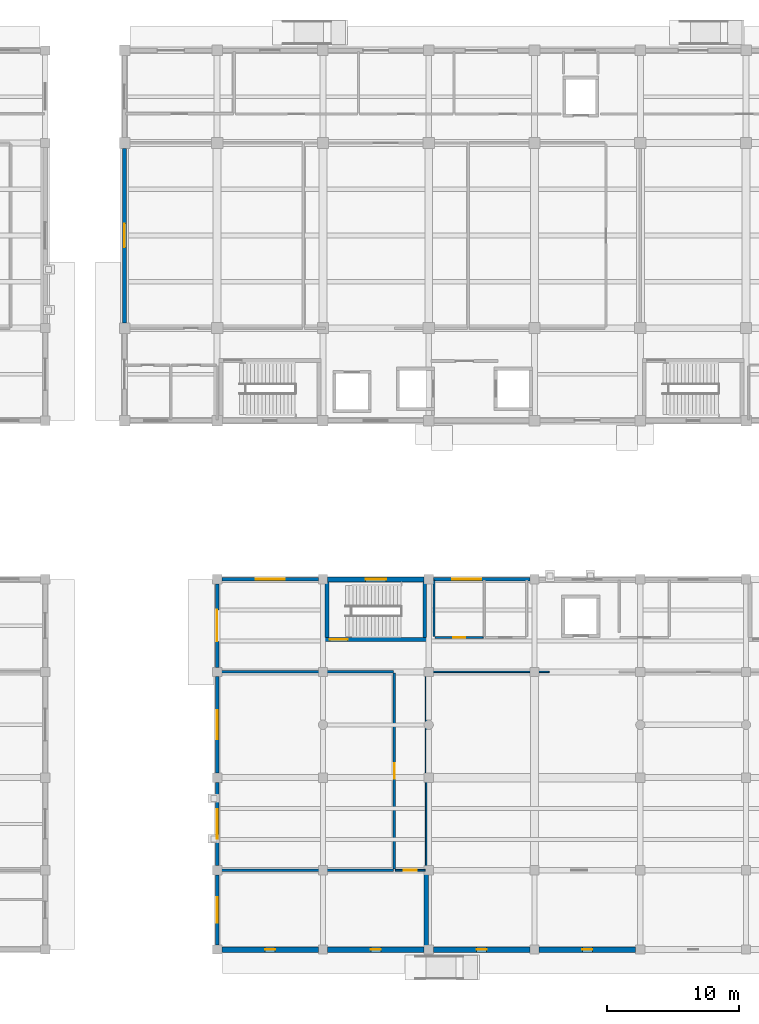
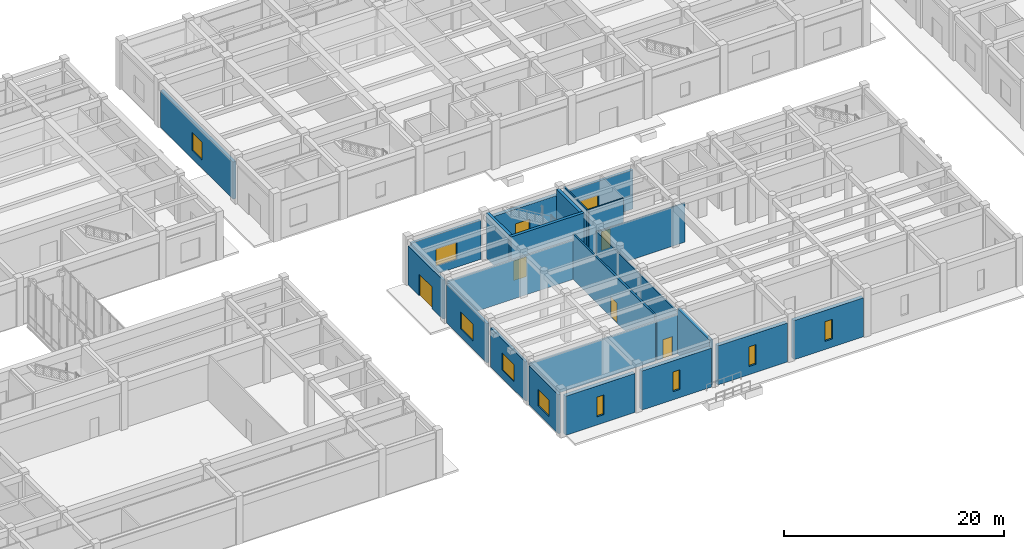
# One storey, part 21 of 40: 24 walls, 11 windows, 5 doors, 16 openings.
"""IFC4 building model written with IfcOpenShell, lengths in metres."""

import ifcopenshell
import ifcopenshell.guid

model = None  # the IFC model being written
_history = None  # IfcOwnerHistory: only IFC2X3 demands one
_inside = {}  # id of a spatial element -> (the spatial element, [elements in it])
_under = {}  # id of a project, library or spatial element -> (it, [spatial elements below it])
_declared = {}  # id of a project -> (the project, [libraries it declares])
_typed = {}  # id of a type object -> (the type object, [elements of that type])
_made_of = {}  # id of a material, layer set ... -> (it, [elements and type objects made of it])


def new_model(schema):
    """Start an empty IFC model of exactly this schema.

    Asked for "IFC4X3", IfcOpenShell would pick the latest addendum, in which some entities
    have other attributes; the version numbers below select the first issue.
    IFC2X3 requires an IfcOwnerHistory on every rooted entity: one is made here for all.
    """
    global model, _history
    if schema == "IFC4X3":
        model = ifcopenshell.file(schema_version=(4, 3, 0, 0))
    else:
        model = ifcopenshell.file(schema=schema)
    _inside.clear()
    _under.clear()
    _declared.clear()
    _typed.clear()
    _made_of.clear()
    _history = None
    if model.schema == "IFC2X3":
        org = make("IfcOrganization", Name="unknown")
        user = make(
            "IfcPersonAndOrganization",
            ThePerson=make("IfcPerson", FamilyName="unknown"),
            TheOrganization=org,
        )
        app = make(
            "IfcApplication",
            ApplicationDeveloper=org,
            Version="unknown",
            ApplicationFullName="unknown",
            ApplicationIdentifier="unknown",
        )
        _history = make(
            "IfcOwnerHistory",
            OwningUser=user,
            OwningApplication=app,
            ChangeAction="ADDED",
            CreationDate=0,
        )
    return model


def make(cls, **values):
    """One entity of the class cls with the attributes given. An attribute that is None is left unset."""
    return model.create_entity(
        cls, **{name: value for name, value in values.items() if value is not None}
    )


def rooted(cls, **values):
    """An entity with a GlobalId (a new one), such as an element, a storey or a relation."""
    return make(cls, GlobalId=ifcopenshell.guid.new(), OwnerHistory=_history, **values)


def si_unit(unit_type, name, prefix=None):
    """IfcSIUnit, for example si_unit("LENGTHUNIT", "METRE", prefix="MILLI")."""
    return make("IfcSIUnit", UnitType=unit_type, Prefix=prefix, Name=name)


def assignment(units):
    """IfcUnitAssignment: the units of a project."""
    return None if units is None else make("IfcUnitAssignment", Units=units)


def point(xyz):
    """IfcCartesianPoint."""
    return None if xyz is None else make("IfcCartesianPoint", Coordinates=xyz)


def direction(xyz):
    """IfcDirection."""
    return None if xyz is None else make("IfcDirection", DirectionRatios=xyz)


def frame(location, z_axis=None, x_axis=None):
    """IfcAxis2Placement3D, a coordinate frame: its origin and axes. An axis left out is left unset."""
    return make(
        "IfcAxis2Placement3D",
        Location=point(location),
        Axis=direction(z_axis),
        RefDirection=direction(x_axis),
    )


def frame_2d(location, x_axis=None):
    """IfcAxis2Placement2D, a coordinate frame in the plane: its origin and x axis."""
    return make(
        "IfcAxis2Placement2D", Location=point(location), RefDirection=direction(x_axis)
    )


def origin():
    """The frame at (0, 0, 0) with its axes left unset."""
    return frame((0.0, 0.0, 0.0))


def place(relative_to, where):
    """IfcLocalPlacement: puts the frame where relative to a parent placement (None: the world)."""
    return make(
        "IfcLocalPlacement", PlacementRelTo=relative_to, RelativePlacement=where
    )


def context(
    kind, dimensions, precision=None, world=None, true_north=None, identifier=None
):
    """IfcGeometricRepresentationContext, for example the 3D "Model" context."""
    return make(
        "IfcGeometricRepresentationContext",
        ContextIdentifier=identifier,
        ContextType=kind,
        CoordinateSpaceDimension=dimensions,
        Precision=precision,
        WorldCoordinateSystem=world,
        TrueNorth=true_north,
    )


def subcontext(parent, identifier, kind, view, scale=None):
    """IfcGeometricRepresentationSubContext, for example "Body" below "Model"."""
    return make(
        "IfcGeometricRepresentationSubContext",
        ContextIdentifier=identifier,
        ContextType=kind,
        ParentContext=parent,
        TargetScale=scale,
        TargetView=view,
    )


def project(units=None, contexts=None):
    """IfcProject with its units and contexts."""
    return rooted(
        "IfcProject",
        Name="project",
        RepresentationContexts=contexts,
        UnitsInContext=assignment(units),
    )


def spatial(cls, under=None, at=None, **own):
    """A site, building, storey or space (cls), placed at a placement, below another one or the project."""
    s = rooted(cls, ObjectPlacement=at, **own)
    if under is not None:
        _under.setdefault(under.id(), (under, []))[1].append(s)
    return s


def profile(cls, at=None, kind="AREA", **sizes):
    """A parametric profile (cls). Its sizes go by their IFC names, for example OverallWidth=200.0."""
    return make(cls, ProfileType=kind, Position=at, **sizes)


def rectangle(**sizes):
    """IfcRectangleProfileDef."""
    return profile("IfcRectangleProfileDef", **sizes)


def extrude(swept, where, along, depth):
    """IfcExtrudedAreaSolid: the profile swept, set in the frame where, extruded along a direction by depth."""
    return make(
        "IfcExtrudedAreaSolid",
        SweptArea=swept,
        Position=where,
        ExtrudedDirection=direction(along),
        Depth=depth,
    )


def shape(context_of_items, identifier, shape_type, items):
    """IfcShapeRepresentation: the items that make up one representation, for example the "Body"."""
    return make(
        "IfcShapeRepresentation",
        ContextOfItems=context_of_items,
        RepresentationIdentifier=identifier,
        RepresentationType=shape_type,
        Items=items,
    )


def material(Name=None, Category=None):
    """IfcMaterial."""
    return make("IfcMaterial", Name=Name, Category=Category)


def layer(
    of_material, thickness, ventilated=None, Name=None, Category=None, Priority=None
):
    """IfcMaterialLayer: one layer of a wall or slab, of a material (None: an air gap)."""
    return make(
        "IfcMaterialLayer",
        Material=of_material,
        LayerThickness=thickness,
        IsVentilated=ventilated,
        Name=Name,
        Category=Category,
        Priority=Priority,
    )


def layer_set(layers, Name=None):
    """IfcMaterialLayerSet."""
    return make("IfcMaterialLayerSet", MaterialLayers=layers, LayerSetName=Name)


def made_of(thing, what):
    """Note that an element or type object is made of a material, layer set ...; save() writes the relation."""
    if what is not None:
        _made_of.setdefault(what.id(), (what, []))[1].append(thing)
    return thing


def type_object(cls, material=None, **own):
    """A type object (cls), such as IfcWallType, which elements share."""
    return made_of(rooted(cls, **own), material)


def element(
    cls,
    number,
    at=None,
    inside=None,
    cuts=None,
    type_object=None,
    material=None,
    context=None,
    identifier="Body",
    shape_type=None,
    held_by="IfcProductDefinitionShape",
    body=None,
    shapes=None,
    **own,
):
    """One element of the class cls, such as IfcWall. Its Tag is "e" and its number.

    at: its placement. inside: the storey or other place that contains it. cuts: it is an
    opening in that element (IfcRelVoidsElement). A single representation is given by context,
    identifier, shape_type and body (its items); several are given by shapes. held_by: the class
    of the entity that holds the representations. save() writes the other relations.
    """
    e = rooted(cls, Tag="e%d" % number, ObjectPlacement=at, **own)
    if body is not None:
        shapes = [shape(context, identifier, shape_type, body)]
    if shapes is not None:
        e.Representation = make(held_by, Representations=shapes)
    if inside is not None:
        _inside.setdefault(inside.id(), (inside, []))[1].append(e)
    if cuts is not None:
        rooted(
            "IfcRelVoidsElement", RelatingBuildingElement=cuts, RelatedOpeningElement=e
        )
    if type_object is not None:
        _typed.setdefault(type_object.id(), (type_object, []))[1].append(e)
    return made_of(e, material)


def fill(opening, filler):
    """IfcRelFillsElement: the door or window that sits in an opening."""
    return rooted(
        "IfcRelFillsElement",
        RelatingOpeningElement=opening,
        RelatedBuildingElement=filler,
    )


def aggregate(whole, parts):
    """IfcRelAggregates: a whole, such as a stair, and the parts it consists of."""
    return rooted("IfcRelAggregates", RelatingObject=whole, RelatedObjects=parts)


def save(model, path):
    """Write the relations noted so far, then the file.

    IfcRelAggregates (storeys below a building ...), IfcRelContainedInSpatialStructure (elements
    in a storey), IfcRelDefinesByType, IfcRelAssociatesMaterial and IfcRelDeclares: one each for
    every whole, place, type object, material and project.
    """
    for whole, parts in _under.values():
        aggregate(whole, parts)
    for where, things in _inside.values():
        rooted(
            "IfcRelContainedInSpatialStructure",
            RelatedElements=things,
            RelatingStructure=where,
        )
    for kind, things in _typed.values():
        rooted("IfcRelDefinesByType", RelatedObjects=things, RelatingType=kind)
    for what, things in _made_of.values():
        rooted("IfcRelAssociatesMaterial", RelatedObjects=things, RelatingMaterial=what)
    for by, libraries in _declared.values():
        rooted("IfcRelDeclares", RelatingContext=by, RelatedDefinitions=libraries)
    model.write(path)


model = new_model("IFC4")

# Units and contexts
model_context = context("Model", 3, precision=1e-05, world=origin(), true_north=direction((0.0, 1.0)))
body_context = subcontext(model_context, "Body", "Model", "MODEL_VIEW")
ifc_project = project(units=[si_unit("LENGTHUNIT", "METRE"), si_unit("AREAUNIT", "SQUARE_METRE"), si_unit("VOLUMEUNIT", "CUBIC_METRE"), si_unit("PLANEANGLEUNIT", "RADIAN"), si_unit("MASSUNIT", "GRAM", prefix="KILO")], contexts=[model_context])

# Site, building, storey
site_placement = place(None, origin())
site = spatial("IfcSite", under=ifc_project, at=site_placement, CompositionType="ELEMENT")
building_placement = place(site_placement, origin())
building = spatial("IfcBuilding", under=site, at=building_placement, Name="Naurynzar Civic Courthouse", CompositionType="ELEMENT")
storey_placement = place(building_placement, origin())
storey = spatial("IfcBuildingStorey", under=building, at=storey_placement, Name="L01", CompositionType="ELEMENT", Elevation=0.0)

# Wall, opening, door
ifc_material_1 = material(Name="Concrete C40/50", Category="concrete")
ifc_layer_1 = layer(ifc_material_1, 0.300048828125)
ifc_layer_set_1 = layer_set([ifc_layer_1], Name="WL-CORE-300")
wall_type_1 = type_object("IfcWallType", Name="WL-CORE-300", PredefinedType="SHEAR", material=ifc_layer_set_1)
wall_1_placement = place(storey_placement, frame((84.85009765625, 27.449951171875, 0.0), z_axis=(0.0, 0.0, 1.0), x_axis=(-1.0, 0.0, 0.0)))
wall_1 = element("IfcWall", 1, at=wall_1_placement, inside=storey, type_object=wall_type_1, Name="Stair ST-V3A enclosure wall south L01", PredefinedType="SHEAR", context=body_context, shape_type="SweptSolid", body=[
    extrude(rectangle(XDim=7.7001953125, YDim=0.300048828125, at=frame_2d((3.85009765625, 0.0))), origin(), (0.0, 0.0, 1.0), 5.06005859375),
])
opening_1_placement = place(wall_1_placement, frame((5.97509765625, 0.0, 0.0)))
opening_1 = element("IfcOpeningElement", 2, at=opening_1_placement, cuts=wall_1, Name="Opening SD-046", PredefinedType="OPENING", context=body_context, shape_type="SweptSolid", body=[
    extrude(rectangle(XDim=1.35009765625, YDim=2.199951171875, at=frame_2d((0.675048828125, 1.10009765625))), frame((0.0, 0.159912109375, 0.0), z_axis=(0.0, -1.0, 0.0), x_axis=(1.0, 0.0, 0.0)), (0.0, 0.0, 1.0), 0.320068359375),
])
ifc_material_2 = material(Name="Powder-Coated Galvanised Steel", Category="steel")
door_type_1 = type_object("IfcDoorType", Name="DR-STAIR-1350x2200", OperationType="NOTDEFINED", PredefinedType="DOOR", material=ifc_material_2)
door_1_placement = place(opening_1_placement, origin())
door_1 = element("IfcDoor", 3, at=door_1_placement, inside=storey, type_object=door_type_1, Name="Stair ST-V3A fire door L01", OperationType="SINGLE_SWING_RIGHT", OverallHeight=2.199951171875, OverallWidth=1.35009765625, PredefinedType="DOOR", context=body_context, shape_type="SweptSolid", body=[
    extrude(rectangle(XDim=1.35009765625, YDim=2.199951171875, at=frame_2d((0.675048828125, 1.10009765625))), frame((0.0, 0.02490234375, 0.0), z_axis=(0.0, -1.0, 0.0), x_axis=(1.0, 0.0, 0.0)), (0.0, 0.0, 1.0), 0.050048828125),
])
fill(opening_1, door_1)

# Walls
for number, where, z_axis, x_axis, name in (
    (4, (77.300048828125, 31.804931640625, 0.0), (0.0, 0.0, 1.0), (0.0, -1.0, 0.0), "Stair ST-V3A enclosure wall west L01"),
    (5, (84.699951171875, 27.60498046875, 0.0), (0.0, 0.0, 1.0), (0.0, 1.0, 0.0), "Stair ST-V3A enclosure wall east L01"),
):
    element("IfcWall", number, at=place(storey_placement, frame(where, z_axis=z_axis, x_axis=x_axis)), inside=storey, type_object=wall_type_1, Name=name, PredefinedType="SHEAR", context=body_context, shape_type="SweptSolid", body=[
        extrude(rectangle(XDim=4.199951171875, YDim=0.300048828125, at=frame_2d((2.10009765625, 0.0))), origin(), (0.0, 0.0, 1.0), 5.06005859375),
    ])
ifc_material_3 = material(Name="Concrete C40/50", Category="concrete")
ifc_layer_2 = layer(ifc_material_3, 0.35009765625)
ifc_layer_set_2 = layer_set([ifc_layer_2], Name="WL-CORE-350")
wall_type_2 = type_object("IfcWallType", Name="WL-CORE-350", PredefinedType="SHEAR", material=ifc_layer_set_2)
wall_2_placement = place(storey_placement, frame((84.800048828125, 4.080078125, 0.0), z_axis=(0.0, 0.0, 1.0), x_axis=(0.0, 1.0, 0.0)))
element("IfcWall", 6, at=wall_2_placement, inside=storey, type_object=wall_type_2, Name="V3 interior partition L01.157", PredefinedType="SHEAR", context=body_context, shape_type="SweptSolid", body=[
    extrude(rectangle(XDim=5.83984375, YDim=0.35009765625, at=frame_2d((2.919921875, 0.0))), origin(), (0.0, 0.0, 1.0), 5.0400390625),
])

# Wall, opening, window
ifc_material_4 = material(Name="Precast concrete C40/50", Category="concrete")
ifc_layer_3 = layer(ifc_material_4, 0.260009765625)
ifc_layer_set_3 = layer_set([ifc_layer_3], Name="WL-EXT-260")
wall_type_3 = type_object("IfcWallType", Name="WL-EXT-260", PredefinedType="SOLIDWALL", material=ifc_layer_set_3)
wall_3_placement = place(storey_placement, frame((69.0, 4.35009765625, 0.0), z_axis=(0.0, 0.0, 1.0), x_axis=(0.0, 1.0, 0.0)))
wall_3 = element("IfcWall", 7, at=wall_3_placement, inside=storey, type_object=wall_type_3, Name="V3 exterior wall west L01.1.1", PredefinedType="SOLIDWALL", context=body_context, shape_type="SweptSolid", body=[
    extrude(rectangle(XDim=5.2998046875, YDim=0.260009765625, at=frame_2d((2.64990234375, 0.0))), origin(), (0.0, 0.0, 1.0), 4.340087890625),
])
opening_2_placement = place(wall_3_placement, frame((1.675048828125, 0.0, 0.89990234375)))
opening_2 = element("IfcOpeningElement", 8, at=opening_2_placement, cuts=wall_3, Name="Opening WN-12", PredefinedType="OPENING", context=body_context, shape_type="SweptSolid", body=[
    extrude(rectangle(XDim=1.949951171875, YDim=1.85009765625, at=frame_2d((0.97509765625, 0.925048828125))), frame((0.0, 0.139892578125, 0.0), z_axis=(0.0, -1.0, 0.0), x_axis=(1.0, 0.0, 0.0)), (0.0, 0.0, 1.0), 0.280029296875),
])
ifc_material_5 = material(Name="Tempered Laminated Low-E Glass", Category="glass")
window_type_1 = type_object("IfcWindowType", Name="WIN-LIB-READ-1950x1850", PartitioningType="DOUBLE_PANEL_VERTICAL", PredefinedType="WINDOW", material=ifc_material_5)
window_1_placement = place(opening_2_placement, origin())
window_1 = element("IfcWindow", 9, at=window_1_placement, inside=storey, type_object=window_type_1, Name="V3 window 140 L01", OverallHeight=1.85009765625, OverallWidth=1.949951171875, PartitioningType="SINGLE_PANEL", PredefinedType="WINDOW", context=body_context, shape_type="SweptSolid", body=[
    extrude(rectangle(XDim=1.949951171875, YDim=1.85009765625, at=frame_2d((0.97509765625, 0.925048828125))), frame((0.0, 0.030029296875, 0.0), z_axis=(0.0, -1.0, 0.0), x_axis=(1.0, 0.0, 0.0)), (0.0, 0.0, 1.0), 0.06005859375),
])
fill(opening_2, window_1)

wall_4_placement = place(storey_placement, frame((69.0, 10.35009765625, 0.0), z_axis=(0.0, 0.0, 1.0), x_axis=(0.0, 1.0, 0.0)))
wall_4 = element("IfcWall", 10, at=wall_4_placement, inside=storey, type_object=wall_type_3, Name="V3 exterior wall west L01.2.1", PredefinedType="SOLIDWALL", context=body_context, shape_type="SweptSolid", body=[
    extrude(rectangle(XDim=6.2998046875, YDim=0.260009765625, at=frame_2d((3.14990234375, 0.0))), origin(), (0.0, 0.0, 1.0), 4.340087890625),
])
opening_3_placement = place(wall_4_placement, frame((2.050048828125, 0.0, 0.89990234375)))
opening_3 = element("IfcOpeningElement", 11, at=opening_3_placement, cuts=wall_4, Name="Opening WN-11", PredefinedType="OPENING", context=body_context, shape_type="SweptSolid", body=[
    extrude(rectangle(XDim=2.199951171875, YDim=1.89990234375, at=frame_2d((1.10009765625, 0.949951171875))), frame((0.0, 0.139892578125, 0.0), z_axis=(0.0, -1.0, 0.0), x_axis=(1.0, 0.0, 0.0)), (0.0, 0.0, 1.0), 0.280029296875),
])
ifc_material_6 = material(Name="Tempered Laminated Low-E Glass", Category="glass")
window_type_2 = type_object("IfcWindowType", Name="WIN-LIB-READ-2200x1900", PartitioningType="DOUBLE_PANEL_VERTICAL", PredefinedType="WINDOW", material=ifc_material_6)
window_2_placement = place(opening_3_placement, origin())
window_2 = element("IfcWindow", 12, at=window_2_placement, inside=storey, type_object=window_type_2, Name="V3 window 141 L01", OverallHeight=1.89990234375, OverallWidth=2.199951171875, PartitioningType="SINGLE_PANEL", PredefinedType="WINDOW", context=body_context, shape_type="SweptSolid", body=[
    extrude(rectangle(XDim=2.199951171875, YDim=1.89990234375, at=frame_2d((1.10009765625, 0.949951171875))), frame((0.0, 0.030029296875, 0.0), z_axis=(0.0, -1.0, 0.0), x_axis=(1.0, 0.0, 0.0)), (0.0, 0.0, 1.0), 0.06005859375),
])
fill(opening_3, window_2)

wall_5_placement = place(storey_placement, frame((69.0, 17.35009765625, 0.0), z_axis=(0.0, 0.0, 1.0), x_axis=(0.0, 1.0, 0.0)))
wall_5 = element("IfcWall", 13, at=wall_5_placement, inside=storey, type_object=wall_type_3, Name="V3 exterior wall west L01.3.1", PredefinedType="SOLIDWALL", context=body_context, shape_type="SweptSolid", body=[
    extrude(rectangle(XDim=7.2998046875, YDim=0.260009765625, at=frame_2d((3.64990234375, 0.0))), origin(), (0.0, 0.0, 1.0), 4.340087890625),
])
opening_4_placement = place(wall_5_placement, frame((2.550048828125, 0.0, 0.89990234375)))
opening_4 = element("IfcOpeningElement", 14, at=opening_4_placement, cuts=wall_5, Name="Opening WN-11", PredefinedType="OPENING", context=body_context, shape_type="SweptSolid", body=[
    extrude(rectangle(XDim=2.199951171875, YDim=1.89990234375, at=frame_2d((1.10009765625, 0.949951171875))), frame((0.0, 0.139892578125, 0.0), z_axis=(0.0, -1.0, 0.0), x_axis=(1.0, 0.0, 0.0)), (0.0, 0.0, 1.0), 0.280029296875),
])
window_3_placement = place(opening_4_placement, origin())
window_3 = element("IfcWindow", 15, at=window_3_placement, inside=storey, type_object=window_type_2, Name="V3 window 142 L01", OverallHeight=1.89990234375, OverallWidth=2.199951171875, PartitioningType="SINGLE_PANEL", PredefinedType="WINDOW", context=body_context, shape_type="SweptSolid", body=[
    extrude(rectangle(XDim=2.199951171875, YDim=1.89990234375, at=frame_2d((1.10009765625, 0.949951171875))), frame((0.0, 0.030029296875, 0.0), z_axis=(0.0, -1.0, 0.0), x_axis=(1.0, 0.0, 0.0)), (0.0, 0.0, 1.0), 0.06005859375),
])
fill(opening_4, window_3)

# Wall, opening, door
wall_6_placement = place(storey_placement, frame((69.0, 25.35009765625, 0.0), z_axis=(0.0, 0.0, 1.0), x_axis=(0.0, 1.0, 0.0)))
wall_6 = element("IfcWall", 16, at=wall_6_placement, inside=storey, type_object=wall_type_3, Name="V3 exterior wall west L01.4.1", PredefinedType="SOLIDWALL", context=body_context, shape_type="SweptSolid", body=[
    extrude(rectangle(XDim=6.2998046875, YDim=0.260009765625, at=frame_2d((3.14990234375, 0.0))), origin(), (0.0, 0.0, 1.0), 4.340087890625),
])
opening_5_placement = place(wall_6_placement, frame((1.949951171875, 0.0, 0.0)))
opening_5 = element("IfcOpeningElement", 17, at=opening_5_placement, cuts=wall_6, Name="Opening ED-13", PredefinedType="OPENING", context=body_context, shape_type="SweptSolid", body=[
    extrude(rectangle(XDim=2.39990234375, YDim=2.39990234375, at=frame_2d((1.199951171875, 1.199951171875))), frame((0.0, 0.139892578125, 0.0), z_axis=(0.0, -1.0, 0.0), x_axis=(1.0, 0.0, 0.0)), (0.0, 0.0, 1.0), 0.280029296875),
])
ifc_material_7 = material(Name="Aluminium 6063-T6", Category="aluminium")
door_type_2 = type_object("IfcDoorType", Name="DR-EXT-2400x2400", OperationType="DOUBLE_DOOR_SINGLE_SWING", PredefinedType="DOOR", material=ifc_material_7)
door_2_placement = place(opening_5_placement, origin())
door_2 = element("IfcDoor", 18, at=door_2_placement, inside=storey, type_object=door_type_2, Name="Ground final exit door ED-13", OperationType="DOUBLE_DOOR_SINGLE_SWING", OverallHeight=2.39990234375, OverallWidth=2.39990234375, PredefinedType="DOOR", context=body_context, shape_type="SweptSolid", body=[
    extrude(rectangle(XDim=2.39990234375, YDim=2.39990234375, at=frame_2d((1.199951171875, 1.199951171875))), frame((0.0, 0.02490234375, 0.0), z_axis=(0.0, -1.0, 0.0), x_axis=(1.0, 0.0, 0.0)), (0.0, 0.0, 1.0), 0.050048828125),
])
fill(opening_5, door_2)

# Wall, opening, window
wall_7_placement = place(storey_placement, frame((69.35009765625, 32.0, 0.0), z_axis=(0.0, 0.0, 1.0), x_axis=(1.0, 0.0, 0.0)))
wall_7 = element("IfcWall", 19, at=wall_7_placement, inside=storey, type_object=wall_type_3, Name="V3 exterior wall north L01.1.1", PredefinedType="SOLIDWALL", context=body_context, shape_type="SweptSolid", body=[
    extrude(rectangle(XDim=7.2998046875, YDim=0.260009765625, at=frame_2d((3.64990234375, 0.0))), origin(), (0.0, 0.0, 1.0), 4.340087890625),
])
opening_6_placement = place(wall_7_placement, frame((2.550048828125, 0.0, 0.89990234375)))
opening_6 = element("IfcOpeningElement", 20, at=opening_6_placement, cuts=wall_7, Name="Opening WN-11", PredefinedType="OPENING", context=body_context, shape_type="SweptSolid", body=[
    extrude(rectangle(XDim=2.199951171875, YDim=1.89990234375, at=frame_2d((1.10009765625, 0.949951171875))), frame((0.0, 0.139892578125, 0.0), z_axis=(0.0, -1.0, 0.0), x_axis=(1.0, 0.0, 0.0)), (0.0, 0.0, 1.0), 0.280029296875),
])
window_4_placement = place(opening_6_placement, origin())
window_4 = element("IfcWindow", 21, at=window_4_placement, inside=storey, type_object=window_type_2, Name="V3 window 143 L01", OverallHeight=1.89990234375, OverallWidth=2.199951171875, PartitioningType="SINGLE_PANEL", PredefinedType="WINDOW", context=body_context, shape_type="SweptSolid", body=[
    extrude(rectangle(XDim=2.199951171875, YDim=1.89990234375, at=frame_2d((1.10009765625, 0.949951171875))), frame((0.0, 0.030029296875, 0.0), z_axis=(0.0, -1.0, 0.0), x_axis=(1.0, 0.0, 0.0)), (0.0, 0.0, 1.0), 0.06005859375),
])
fill(opening_6, window_4)

wall_8_placement = place(storey_placement, frame((85.35009765625, 32.0, 0.0), z_axis=(0.0, 0.0, 1.0), x_axis=(1.0, 0.0, 0.0)))
wall_8 = element("IfcWall", 22, at=wall_8_placement, inside=storey, type_object=wall_type_3, Name="V3 exterior wall north L01.3.1", PredefinedType="SOLIDWALL", context=body_context, shape_type="SweptSolid", body=[
    extrude(rectangle(XDim=7.2998046875, YDim=0.260009765625, at=frame_2d((3.64990234375, 0.0))), origin(), (0.0, 0.0, 1.0), 4.340087890625),
])
opening_7_placement = place(wall_8_placement, frame((1.429931640625, 0.0, 0.89990234375)))
opening_7 = element("IfcOpeningElement", 23, at=opening_7_placement, cuts=wall_8, Name="Opening WN-11", PredefinedType="OPENING", context=body_context, shape_type="SweptSolid", body=[
    extrude(rectangle(XDim=2.199951171875, YDim=1.89990234375, at=frame_2d((1.10009765625, 0.949951171875))), frame((0.0, 0.139892578125, 0.0), z_axis=(0.0, -1.0, 0.0), x_axis=(1.0, 0.0, 0.0)), (0.0, 0.0, 1.0), 0.280029296875),
])
window_5_placement = place(opening_7_placement, origin())
window_5 = element("IfcWindow", 24, at=window_5_placement, inside=storey, type_object=window_type_2, Name="V3 window 144 L01", OverallHeight=1.89990234375, OverallWidth=2.199951171875, PartitioningType="SINGLE_PANEL", PredefinedType="WINDOW", context=body_context, shape_type="SweptSolid", body=[
    extrude(rectangle(XDim=2.199951171875, YDim=1.89990234375, at=frame_2d((1.10009765625, 0.949951171875))), frame((0.0, 0.030029296875, 0.0), z_axis=(0.0, -1.0, 0.0), x_axis=(1.0, 0.0, 0.0)), (0.0, 0.0, 1.0), 0.06005859375),
])
fill(opening_7, window_5)

ifc_material_8 = material(Name="Precast concrete C40/50", Category="concrete")
ifc_layer_4 = layer(ifc_material_8, 0.300048828125)
ifc_layer_set_4 = layer_set([ifc_layer_4], Name="WL-EXT-300")
wall_type_4 = type_object("IfcWallType", Name="WL-EXT-300", PredefinedType="SOLIDWALL", material=ifc_layer_set_4)
wall_9_placement = place(storey_placement, frame((62.0, 51.39990234375, 0.0), z_axis=(0.0, 0.0, 1.0), x_axis=(0.0, 1.0, 0.0)))
wall_9 = element("IfcWall", 25, at=wall_9_placement, inside=storey, type_object=wall_type_4, Name="V2 exterior wall west L01.2.1", PredefinedType="SOLIDWALL", context=body_context, shape_type="SweptSolid", body=[
    extrude(rectangle(XDim=13.2001953125, YDim=0.300048828125, at=frame_2d((6.60009765625, 0.0))), origin(), (0.0, 0.0, 1.0), 4.1298828125),
])
opening_8_placement = place(wall_9_placement, frame((5.699951171875, 0.0, 0.89990234375)))
opening_8 = element("IfcOpeningElement", 26, at=opening_8_placement, cuts=wall_9, Name="Opening WN-03", PredefinedType="OPENING", context=body_context, shape_type="SweptSolid", body=[
    extrude(rectangle(XDim=1.800048828125, YDim=2.0, at=frame_2d((0.89990234375, 1.0))), frame((0.0, 0.159912109375, 0.0), z_axis=(0.0, -1.0, 0.0), x_axis=(1.0, 0.0, 0.0)), (0.0, 0.0, 1.0), 0.320068359375),
])
ifc_material_9 = material(Name="Tempered Laminated Low-E Glass", Category="glass")
window_type_3 = type_object("IfcWindowType", Name="WIN-COURT-1800x2000", PartitioningType="DOUBLE_PANEL_VERTICAL", PredefinedType="WINDOW", material=ifc_material_9)
window_6_placement = place(opening_8_placement, origin())
window_6 = element("IfcWindow", 27, at=window_6_placement, inside=storey, type_object=window_type_3, Name="V2 window 39 L01", OverallHeight=2.0, OverallWidth=1.800048828125, PartitioningType="SINGLE_PANEL", PredefinedType="WINDOW", context=body_context, shape_type="SweptSolid", body=[
    extrude(rectangle(XDim=1.800048828125, YDim=2.0, at=frame_2d((0.89990234375, 1.0))), frame((0.0, 0.030029296875, 0.0), z_axis=(0.0, -1.0, 0.0), x_axis=(1.0, 0.0, 0.0)), (0.0, 0.0, 1.0), 0.06005859375),
])
fill(opening_8, window_6)

# Wall, opening, door
ifc_material_10 = material(Name="Fire-Rated Corridor Gypsum Partition")
ifc_layer_5 = layer(ifc_material_10, 0.14990234375)
ifc_layer_set_5 = layer_set([ifc_layer_5], Name="WL-PART-CORR-150")
wall_type_5 = type_object("IfcWallType", Name="WL-PART-CORR-150", PredefinedType="PARTITIONING", material=ifc_layer_set_5)
wall_10_placement = place(storey_placement, frame((82.47998046875, 10.0, 0.0), z_axis=(0.0, 0.0, 1.0), x_axis=(1.0, 0.0, 0.0)))
wall_10 = element("IfcWall", 28, at=wall_10_placement, inside=storey, type_object=wall_type_5, Name="V3 interior partition L01.75", PredefinedType="PARTITIONING", context=body_context, shape_type="SweptSolid", body=[
    extrude(rectangle(XDim=2.239990234375, YDim=0.14990234375, at=frame_2d((1.1201171875, 0.0))), origin(), (0.0, 0.0, 1.0), 4.360107421875),
])
opening_9_placement = place(wall_10_placement, frame((0.6298828125, 0.0, 0.0)))
opening_9 = element("IfcOpeningElement", 29, at=opening_9_placement, cuts=wall_10, Name="Opening D-229", PredefinedType="OPENING", context=body_context, shape_type="SweptSolid", body=[
    extrude(rectangle(XDim=0.97998046875, YDim=2.10009765625, at=frame_2d((0.489990234375, 1.050048828125))), frame((0.0, 0.0849609375, 0.0), z_axis=(0.0, -1.0, 0.0), x_axis=(1.0, 0.0, 0.0)), (0.0, 0.0, 1.0), 0.169921875),
])
ifc_material_11 = material(Name="Acoustic Oak Timber Grade A", Category="wood")
door_type_3 = type_object("IfcDoorType", Name="DR-SUITE-980x2100", OperationType="NOTDEFINED", PredefinedType="DOOR", material=ifc_material_11)
door_3_placement = place(opening_9_placement, origin())
door_3 = element("IfcDoor", 30, at=door_3_placement, inside=storey, type_object=door_type_3, Name="Interior door D-229 (Law Library Circulation Desk)", OperationType="SINGLE_SWING_LEFT", OverallHeight=2.10009765625, OverallWidth=0.97998046875, PredefinedType="DOOR", context=body_context, shape_type="SweptSolid", body=[
    extrude(rectangle(XDim=0.97998046875, YDim=2.10009765625, at=frame_2d((0.489990234375, 1.050048828125))), frame((0.0, 0.02490234375, 0.0), z_axis=(0.0, -1.0, 0.0), x_axis=(1.0, 0.0, 0.0)), (0.0, 0.0, 1.0), 0.050048828125),
])
fill(opening_9, door_3)

# Walls
ifc_material_12 = material(Name="Acoustic Double-Stud Gypsum Partition")
ifc_layer_6 = layer(ifc_material_12, 0.179931640625)
ifc_layer_set_6 = layer_set([ifc_layer_6], Name="WL-PART-JURY-180")
wall_type_6 = type_object("IfcWallType", Name="WL-PART-JURY-180", PredefinedType="PARTITIONING", material=ifc_layer_set_6)
for number, where, z_axis, x_axis, name in (
    (31, (69.080078125, 10.0, 0.0), (0.0, 0.0, 1.0), (1.0, 0.0, 0.0), "V3 interior partition L01.74"),
    (32, (69.080078125, 25.0, 0.0), (0.0, 0.0, 1.0), (1.0, 0.0, 0.0), "V3 interior partition L01.84"),
):
    element("IfcWall", number, at=place(storey_placement, frame(where, z_axis=z_axis, x_axis=x_axis)), inside=storey, type_object=wall_type_6, Name=name, PredefinedType="PARTITIONING", context=body_context, shape_type="SweptSolid", body=[
        extrude(rectangle(XDim=13.239990234375, YDim=0.179931640625, at=frame_2d((6.6201171875, 0.0))), origin(), (0.0, 0.0, 1.0), 4.360107421875),
    ])

# Wall, opening, door
wall_11_placement = place(storey_placement, frame((82.39990234375, 10.080078125, 0.0), z_axis=(0.0, 0.0, 1.0), x_axis=(0.0, 1.0, 0.0)))
wall_11 = element("IfcWall", 33, at=wall_11_placement, inside=storey, type_object=wall_type_6, Name="V3 interior partition L01.156", PredefinedType="PARTITIONING", context=body_context, shape_type="SweptSolid", body=[
    extrude(rectangle(XDim=14.83984375, YDim=0.179931640625, at=frame_2d((7.419921875, 0.0))), origin(), (0.0, 0.0, 1.0), 5.0400390625),
])
opening_10_placement = place(wall_11_placement, frame((6.844970703125, 0.0, 0.0)))
opening_10 = element("IfcOpeningElement", 34, at=opening_10_placement, cuts=wall_11, Name="Opening D-227", PredefinedType="OPENING", context=body_context, shape_type="SweptSolid", body=[
    extrude(rectangle(XDim=1.14990234375, YDim=2.199951171875, at=frame_2d((0.574951171875, 1.10009765625))), frame((0.0, 0.099853515625, 0.0), z_axis=(0.0, -1.0, 0.0), x_axis=(1.0, 0.0, 0.0)), (0.0, 0.0, 1.0), 0.199951171875),
])
ifc_material_13 = material(Name="Acoustic Oak Timber Grade A", Category="wood")
door_type_4 = type_object("IfcDoorType", Name="DR-JURY-1150x2200", OperationType="NOTDEFINED", PredefinedType="DOOR", material=ifc_material_13)
door_4_placement = place(opening_10_placement, origin())
door_4 = element("IfcDoor", 35, at=door_4_placement, inside=storey, type_object=door_type_4, Name="Interior door D-227 (Judicial Training Lecture Hall)", OperationType="SINGLE_SWING_LEFT", OverallHeight=2.199951171875, OverallWidth=1.14990234375, PredefinedType="DOOR", context=body_context, shape_type="SweptSolid", body=[
    extrude(rectangle(XDim=1.14990234375, YDim=2.199951171875, at=frame_2d((0.574951171875, 1.10009765625))), frame((0.0, 0.02490234375, 0.0), z_axis=(0.0, -1.0, 0.0), x_axis=(1.0, 0.0, 0.0)), (0.0, 0.0, 1.0), 0.050048828125),
])
fill(opening_10, door_4)

# Walls
ifc_material_14 = material(Name="Metal-Stud Gypsum Partition")
ifc_layer_7 = layer(ifc_material_14, 0.125)
ifc_layer_set_7 = layer_set([ifc_layer_7], Name="WL-PART-STD-125")
wall_type_7 = type_object("IfcWallType", Name="WL-PART-STD-125", PredefinedType="PARTITIONING", material=ifc_layer_set_7)
wall_12_placement = place(storey_placement, frame((84.8798828125, 25.0, 0.0), z_axis=(0.0, 0.0, 1.0), x_axis=(1.0, 0.0, 0.0)))
element("IfcWall", 36, at=wall_12_placement, inside=storey, type_object=wall_type_7, Name="V3 interior partition L01.85", PredefinedType="PARTITIONING", context=body_context, shape_type="SweptSolid", body=[
    extrude(rectangle(XDim=9.22021484375, YDim=0.125, at=frame_2d((4.610107421875, 0.0))), origin(), (0.0, 0.0, 1.0), 4.360107421875),
])
wall_13_placement = place(storey_placement, frame((84.800048828125, 10.080078125, 0.0), z_axis=(0.0, 0.0, 1.0), x_axis=(0.0, 1.0, 0.0)))
element("IfcWall", 37, at=wall_13_placement, inside=storey, type_object=wall_type_7, Name="V3 interior partition L01.158", PredefinedType="PARTITIONING", context=body_context, shape_type="SweptSolid", body=[
    extrude(rectangle(XDim=14.83984375, YDim=0.125, at=frame_2d((7.419921875, 0.0))), origin(), (0.0, 0.0, 1.0), 4.510009765625),
])

# Wall, opening, door
ifc_material_15 = material(Name="Moisture-Resistant Plumbing Partition")
ifc_layer_8 = layer(ifc_material_15, 0.139892578125)
ifc_layer_set_8 = layer_set([ifc_layer_8], Name="WL-PART-WC-140")
wall_type_8 = type_object("IfcWallType", Name="WL-PART-WC-140", PredefinedType="PLUMBINGWALL", material=ifc_layer_set_8)
wall_14_placement = place(storey_placement, frame((85.47998046875, 27.60009765625, 0.0), z_axis=(0.0, 0.0, 1.0), x_axis=(1.0, 0.0, 0.0)))
wall_14 = element("IfcWall", 38, at=wall_14_placement, inside=storey, type_object=wall_type_8, Name="V3 interior partition L01.90", PredefinedType="PLUMBINGWALL", context=body_context, shape_type="SweptSolid", body=[
    extrude(rectangle(XDim=3.64013671875, YDim=0.139892578125, at=frame_2d((1.820068359375, 0.0))), origin(), (0.0, 0.0, 1.0), 5.0400390625),
])
opening_11_placement = place(wall_14_placement, frame((1.360107421875, 0.0, 0.0)))
opening_11 = element("IfcOpeningElement", 39, at=opening_11_placement, cuts=wall_14, Name="Opening D-224", PredefinedType="OPENING", context=body_context, shape_type="SweptSolid", body=[
    extrude(rectangle(XDim=0.919921875, YDim=2.10009765625, at=frame_2d((0.4599609375, 1.050048828125))), frame((0.0, 0.079833984375, 0.0), z_axis=(0.0, -1.0, 0.0), x_axis=(1.0, 0.0, 0.0)), (0.0, 0.0, 1.0), 0.159912109375),
])
ifc_material_16 = material(Name="Acoustic Oak Timber Grade A", Category="wood")
door_type_5 = type_object("IfcDoorType", Name="DR-WC-STD-920x2100", OperationType="NOTDEFINED", PredefinedType="DOOR", material=ifc_material_16)
door_5_placement = place(opening_11_placement, origin())
door_5 = element("IfcDoor", 40, at=door_5_placement, inside=storey, type_object=door_type_5, Name="Interior door D-224 (Public WC V3)", OperationType="SINGLE_SWING_RIGHT", OverallHeight=2.10009765625, OverallWidth=0.919921875, PredefinedType="DOOR", context=body_context, shape_type="SweptSolid", body=[
    extrude(rectangle(XDim=0.919921875, YDim=2.10009765625, at=frame_2d((0.4599609375, 1.050048828125))), frame((0.0, 0.02490234375, 0.0), z_axis=(0.0, -1.0, 0.0), x_axis=(1.0, 0.0, 0.0)), (0.0, 0.0, 1.0), 0.050048828125),
])
fill(opening_11, door_5)

# Wall
wall_15_placement = place(storey_placement, frame((85.39990234375, 27.679931640625, 0.0), z_axis=(0.0, 0.0, 1.0), x_axis=(0.0, 1.0, 0.0)))
element("IfcWall", 41, at=wall_15_placement, inside=storey, type_object=wall_type_8, Name="V3 interior partition L01.159", PredefinedType="PLUMBINGWALL", context=body_context, shape_type="SweptSolid", body=[
    extrude(rectangle(XDim=4.239990234375, YDim=0.139892578125, at=frame_2d((2.1201171875, 0.0))), origin(), (0.0, 0.0, 1.0), 5.0400390625),
])

# Wall, opening, window
ifc_material_17 = material(Name="Concrete C40/50", Category="concrete")
ifc_layer_9 = layer(ifc_material_17, 0.3798828125)
ifc_layer_set_9 = layer_set([ifc_layer_9], Name="WL-RET-380")
wall_type_9 = type_object("IfcWallType", Name="WL-RET-380", PredefinedType="STANDARD", material=ifc_layer_set_9)
wall_16_placement = place(storey_placement, frame((77.35009765625, 32.0, 0.0), z_axis=(0.0, 0.0, 1.0), x_axis=(1.0, 0.0, 0.0)))
wall_16 = element("IfcWall", 42, at=wall_16_placement, inside=storey, type_object=wall_type_9, Name="V3 exterior wall north L01.2.1", PredefinedType="STANDARD", context=body_context, shape_type="SweptSolid", body=[
    extrude(rectangle(XDim=7.2998046875, YDim=0.3798828125, at=frame_2d((3.64990234375, 0.0))), origin(), (0.0, 0.0, 1.0), 4.340087890625),
])
opening_12_placement = place(wall_16_placement, frame((2.875, 0.0, 0.949951171875)))
opening_12 = element("IfcOpeningElement", 43, at=opening_12_placement, cuts=wall_16, Name="Opening WM-10", PredefinedType="OPENING", context=body_context, shape_type="SweptSolid", body=[
    extrude(rectangle(XDim=1.550048828125, YDim=1.75, at=frame_2d((0.77490234375, 0.875))), frame((0.0, 0.199951171875, 0.0), z_axis=(0.0, -1.0, 0.0), x_axis=(1.0, 0.0, 0.0)), (0.0, 0.0, 1.0), 0.39990234375),
])
ifc_material_18 = material(Name="Tempered Laminated Low-E Glass", Category="glass")
window_type_4 = type_object("IfcWindowType", Name="WIN-MOD-1550x1750", PartitioningType="DOUBLE_PANEL_VERTICAL", PredefinedType="WINDOW", material=ifc_material_18)
window_7_placement = place(opening_12_placement, origin())
window_7 = element("IfcWindow", 44, at=window_7_placement, inside=storey, type_object=window_type_4, Name="Modular glazed window 10", OverallHeight=1.75, OverallWidth=1.550048828125, PartitioningType="SINGLE_PANEL", PredefinedType="WINDOW", context=body_context, shape_type="SweptSolid", body=[
    extrude(rectangle(XDim=1.550048828125, YDim=1.75, at=frame_2d((0.77490234375, 0.875))), frame((0.0, 0.030029296875, 0.0), z_axis=(0.0, -1.0, 0.0), x_axis=(1.0, 0.0, 0.0)), (0.0, 0.0, 1.0), 0.06005859375),
])
fill(opening_12, window_7)

ifc_material_19 = material(Name="Concrete C40/50", Category="concrete")
ifc_layer_10 = layer(ifc_material_19, 0.419921875)
ifc_layer_set_10 = layer_set([ifc_layer_10], Name="WL-STACK-420")
wall_type_10 = type_object("IfcWallType", Name="WL-STACK-420", PredefinedType="SOLIDWALL", material=ifc_layer_set_10)
wall_17_placement = place(storey_placement, frame((100.64990234375, 4.0, 0.0), z_axis=(0.0, 0.0, 1.0), x_axis=(-1.0, 0.0, 0.0)))
wall_17 = element("IfcWall", 45, at=wall_17_placement, inside=storey, type_object=wall_type_10, Name="V3 exterior wall south L01.3.1", PredefinedType="SOLIDWALL", context=body_context, shape_type="SweptSolid", body=[
    extrude(rectangle(XDim=7.2998046875, YDim=0.419921875, at=frame_2d((3.64990234375, 0.0))), origin(), (0.0, 0.0, 1.0), 4.340087890625),
])
opening_13_placement = place(wall_17_placement, frame((3.27490234375, 0.0, 0.89990234375)))
opening_13 = element("IfcOpeningElement", 46, at=opening_13_placement, cuts=wall_17, Name="Opening WN-09", PredefinedType="OPENING", context=body_context, shape_type="SweptSolid", body=[
    extrude(rectangle(XDim=0.75, YDim=2.199951171875, at=frame_2d((0.375, 1.10009765625))), frame((0.0, 0.219970703125, 0.0), z_axis=(0.0, -1.0, 0.0), x_axis=(1.0, 0.0, 0.0)), (0.0, 0.0, 1.0), 0.43994140625),
])
ifc_material_20 = material(Name="Tempered Laminated Low-E Glass", Category="glass")
window_type_5 = type_object("IfcWindowType", Name="WIN-LIB-SLOT-750x2200", PartitioningType="SINGLE_PANEL", PredefinedType="WINDOW", material=ifc_material_20)
window_8_placement = place(opening_13_placement, origin())
window_8 = element("IfcWindow", 47, at=window_8_placement, inside=storey, type_object=window_type_5, Name="V3 window 152 L01", OverallHeight=2.199951171875, OverallWidth=0.75, PartitioningType="SINGLE_PANEL", PredefinedType="WINDOW", context=body_context, shape_type="SweptSolid", body=[
    extrude(rectangle(XDim=0.75, YDim=2.199951171875, at=frame_2d((0.375, 1.10009765625))), frame((0.0, 0.030029296875, 0.0), z_axis=(0.0, -1.0, 0.0), x_axis=(1.0, 0.0, 0.0)), (0.0, 0.0, 1.0), 0.06005859375),
])
fill(opening_13, window_8)

wall_18_placement = place(storey_placement, frame((92.64990234375, 4.0, 0.0), z_axis=(0.0, 0.0, 1.0), x_axis=(-1.0, 0.0, 0.0)))
wall_18 = element("IfcWall", 48, at=wall_18_placement, inside=storey, type_object=wall_type_10, Name="V3 exterior wall south L01.4.1", PredefinedType="SOLIDWALL", context=body_context, shape_type="SweptSolid", body=[
    extrude(rectangle(XDim=7.2998046875, YDim=0.419921875, at=frame_2d((3.64990234375, 0.0))), origin(), (0.0, 0.0, 1.0), 4.340087890625),
])
opening_14_placement = place(wall_18_placement, frame((3.27490234375, 0.0, 0.89990234375)))
opening_14 = element("IfcOpeningElement", 49, at=opening_14_placement, cuts=wall_18, Name="Opening WN-09", PredefinedType="OPENING", context=body_context, shape_type="SweptSolid", body=[
    extrude(rectangle(XDim=0.75, YDim=2.199951171875, at=frame_2d((0.375, 1.10009765625))), frame((0.0, 0.219970703125, 0.0), z_axis=(0.0, -1.0, 0.0), x_axis=(1.0, 0.0, 0.0)), (0.0, 0.0, 1.0), 0.43994140625),
])
window_9_placement = place(opening_14_placement, origin())
window_9 = element("IfcWindow", 50, at=window_9_placement, inside=storey, type_object=window_type_5, Name="V3 window 153 L01", OverallHeight=2.199951171875, OverallWidth=0.75, PartitioningType="SINGLE_PANEL", PredefinedType="WINDOW", context=body_context, shape_type="SweptSolid", body=[
    extrude(rectangle(XDim=0.75, YDim=2.199951171875, at=frame_2d((0.375, 1.10009765625))), frame((0.0, 0.030029296875, 0.0), z_axis=(0.0, -1.0, 0.0), x_axis=(1.0, 0.0, 0.0)), (0.0, 0.0, 1.0), 0.06005859375),
])
fill(opening_14, window_9)

wall_19_placement = place(storey_placement, frame((84.64990234375, 4.0, 0.0), z_axis=(0.0, 0.0, 1.0), x_axis=(-1.0, 0.0, 0.0)))
wall_19 = element("IfcWall", 51, at=wall_19_placement, inside=storey, type_object=wall_type_10, Name="V3 exterior wall south L01.5.1", PredefinedType="SOLIDWALL", context=body_context, shape_type="SweptSolid", body=[
    extrude(rectangle(XDim=7.2998046875, YDim=0.419921875, at=frame_2d((3.64990234375, 0.0))), origin(), (0.0, 0.0, 1.0), 4.340087890625),
])
opening_15_placement = place(wall_19_placement, frame((3.27490234375, 0.0, 0.89990234375)))
opening_15 = element("IfcOpeningElement", 52, at=opening_15_placement, cuts=wall_19, Name="Opening WN-09", PredefinedType="OPENING", context=body_context, shape_type="SweptSolid", body=[
    extrude(rectangle(XDim=0.75, YDim=2.199951171875, at=frame_2d((0.375, 1.10009765625))), frame((0.0, 0.219970703125, 0.0), z_axis=(0.0, -1.0, 0.0), x_axis=(1.0, 0.0, 0.0)), (0.0, 0.0, 1.0), 0.43994140625),
])
window_10_placement = place(opening_15_placement, origin())
window_10 = element("IfcWindow", 53, at=window_10_placement, inside=storey, type_object=window_type_5, Name="V3 window 154 L01", OverallHeight=2.199951171875, OverallWidth=0.75, PartitioningType="SINGLE_PANEL", PredefinedType="WINDOW", context=body_context, shape_type="SweptSolid", body=[
    extrude(rectangle(XDim=0.75, YDim=2.199951171875, at=frame_2d((0.375, 1.10009765625))), frame((0.0, 0.030029296875, 0.0), z_axis=(0.0, -1.0, 0.0), x_axis=(1.0, 0.0, 0.0)), (0.0, 0.0, 1.0), 0.06005859375),
])
fill(opening_15, window_10)

wall_20_placement = place(storey_placement, frame((76.64990234375, 4.0, 0.0), z_axis=(0.0, 0.0, 1.0), x_axis=(-1.0, 0.0, 0.0)))
wall_20 = element("IfcWall", 54, at=wall_20_placement, inside=storey, type_object=wall_type_10, Name="V3 exterior wall south L01.6.1", PredefinedType="SOLIDWALL", context=body_context, shape_type="SweptSolid", body=[
    extrude(rectangle(XDim=7.2998046875, YDim=0.419921875, at=frame_2d((3.64990234375, 0.0))), origin(), (0.0, 0.0, 1.0), 4.340087890625),
])
opening_16_placement = place(wall_20_placement, frame((3.27490234375, 0.0, 0.89990234375)))
opening_16 = element("IfcOpeningElement", 55, at=opening_16_placement, cuts=wall_20, Name="Opening WN-09", PredefinedType="OPENING", context=body_context, shape_type="SweptSolid", body=[
    extrude(rectangle(XDim=0.75, YDim=2.199951171875, at=frame_2d((0.375, 1.10009765625))), frame((0.0, 0.219970703125, 0.0), z_axis=(0.0, -1.0, 0.0), x_axis=(1.0, 0.0, 0.0)), (0.0, 0.0, 1.0), 0.43994140625),
])
window_11_placement = place(opening_16_placement, origin())
window_11 = element("IfcWindow", 56, at=window_11_placement, inside=storey, type_object=window_type_5, Name="V3 window 155 L01", OverallHeight=2.199951171875, OverallWidth=0.75, PartitioningType="SINGLE_PANEL", PredefinedType="WINDOW", context=body_context, shape_type="SweptSolid", body=[
    extrude(rectangle(XDim=0.75, YDim=2.199951171875, at=frame_2d((0.375, 1.10009765625))), frame((0.0, 0.030029296875, 0.0), z_axis=(0.0, -1.0, 0.0), x_axis=(1.0, 0.0, 0.0)), (0.0, 0.0, 1.0), 0.06005859375),
])
fill(opening_16, window_11)

save(model, "model.ifc")
